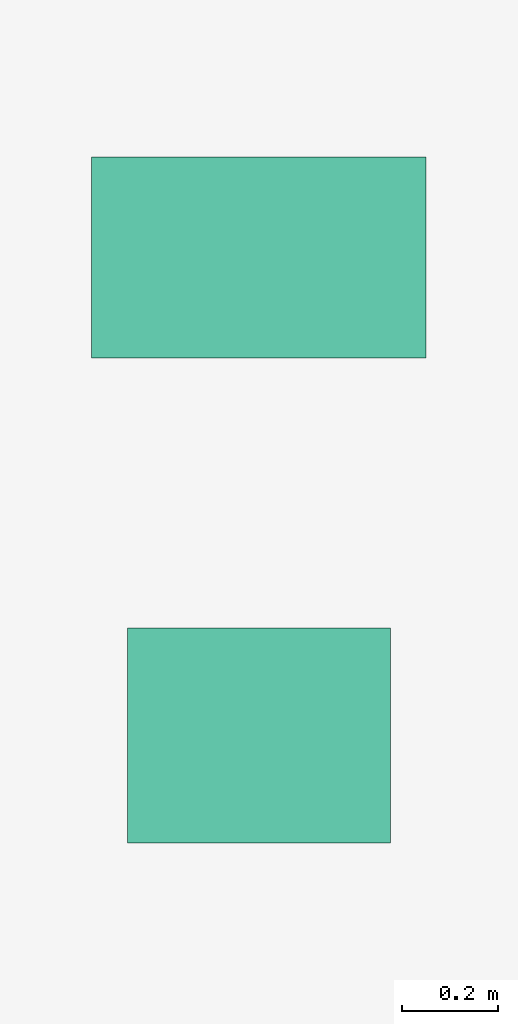
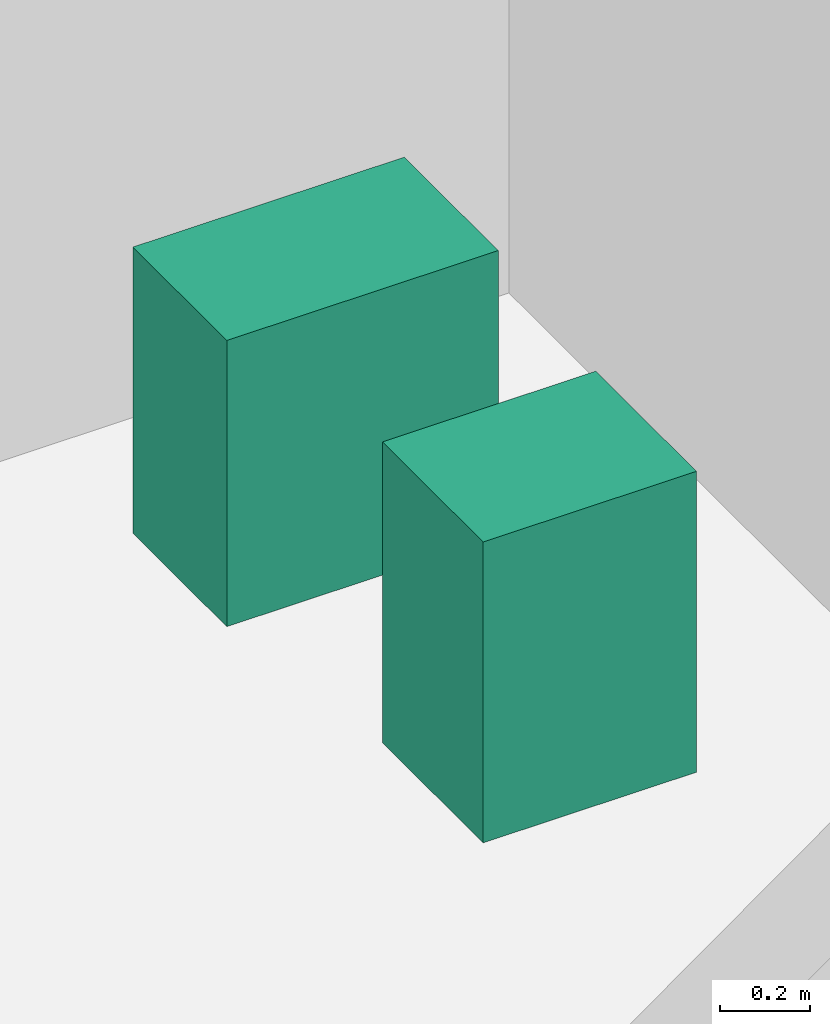
# One storey, part 32 of 32: 2 sanitary terminals.
"""IFC4 building model written with IfcOpenShell, lengths in metres."""

from ifc_helpers import new_model, si_unit, direction, frame, origin, origin_2d, place, context, subcontext, project, spatial, rectangle, extrude, source, transform, mapped, material, type_object, element, save


model = new_model("IFC4")

# Units and contexts
model_context = context("Model", 3, precision=1e-05, world=origin(), true_north=direction((0.0, 1.0)))
body_context = subcontext(model_context, "Body", "Model", "MODEL_VIEW")
ifc_project = project(units=[si_unit("LENGTHUNIT", "METRE"), si_unit("AREAUNIT", "SQUARE_METRE"), si_unit("VOLUMEUNIT", "CUBIC_METRE"), si_unit("PLANEANGLEUNIT", "RADIAN"), si_unit("MASSUNIT", "GRAM", prefix="KILO")], contexts=[model_context])

# Site, building, storey
site_placement = place(None, origin())
site = spatial("IfcSite", under=ifc_project, at=site_placement, CompositionType="ELEMENT")
building_placement = place(site_placement, origin())
building = spatial("IfcBuilding", under=site, at=building_placement, Name="Sumidabori Civic Tower", CompositionType="ELEMENT")
storey_placement = place(building_placement, frame((0.0, 0.0, 45.199951171875)))
storey = spatial("IfcBuildingStorey", under=building, at=storey_placement, Name="L11", CompositionType="ELEMENT", Elevation=45.199951171875)

# Sanitary terminals
ifc_material = material(Name="Vitreous Sanitary Porcelain")
sanitary_terminal_type_1 = type_object("IfcSanitaryTerminalType", Name="SN-WC-1", PredefinedType="TOILETPAN", material=ifc_material)
shared_shape_1 = source(origin(), body_context, "Body", "SweptSolid", [
    extrude(rectangle(XDim=0.699951171875, YDim=0.419921875, at=origin_2d()), origin(), (0.0, 0.0, 1.0), 0.780029296875),
])
sanitary_terminal_1_placement = place(storey_placement, frame((10.800048828125, 21.85009765625, 0.0), z_axis=(0.0, 0.0, 1.0), x_axis=(1.0, 0.0, 0.0)))
element("IfcSanitaryTerminal", 1, at=sanitary_terminal_1_placement, inside=storey, type_object=sanitary_terminal_type_1, Name="Accessible WC Pan L11", PredefinedType="TOILETPAN", context=body_context, shape_type="MappedRepresentation", body=[
    mapped(shared_shape_1, transform((0.0, 0.0, 0.0), x_axis=(1.0, 0.0, 0.0), y_axis=(0.0, 1.0, 0.0), z_axis=(0.0, 0.0, 1.0), scale=1.0)),
])
sanitary_terminal_type_2 = type_object("IfcSanitaryTerminalType", Name="SN-BAS-1", PredefinedType="WASHHANDBASIN", material=ifc_material)
shared_shape_2 = source(origin(), body_context, "Body", "SweptSolid", [
    extrude(rectangle(XDim=0.550048828125, YDim=0.449951171875, at=origin_2d()), origin(), (0.0, 0.0, 1.0), 0.820068359375),
])
sanitary_terminal_2_placement = place(storey_placement, frame((10.800048828125, 20.85009765625, 0.0), z_axis=(0.0, 0.0, 1.0), x_axis=(1.0, 0.0, 0.0)))
element("IfcSanitaryTerminal", 2, at=sanitary_terminal_2_placement, inside=storey, type_object=sanitary_terminal_type_2, Name="Accessible Basin L11", PredefinedType="WASHHANDBASIN", context=body_context, shape_type="MappedRepresentation", body=[
    mapped(shared_shape_2, transform((0.0, 0.0, 0.0), x_axis=(1.0, 0.0, 0.0), y_axis=(0.0, 1.0, 0.0), z_axis=(0.0, 0.0, 1.0), scale=1.0)),
])

save(model, "model.ifc")
